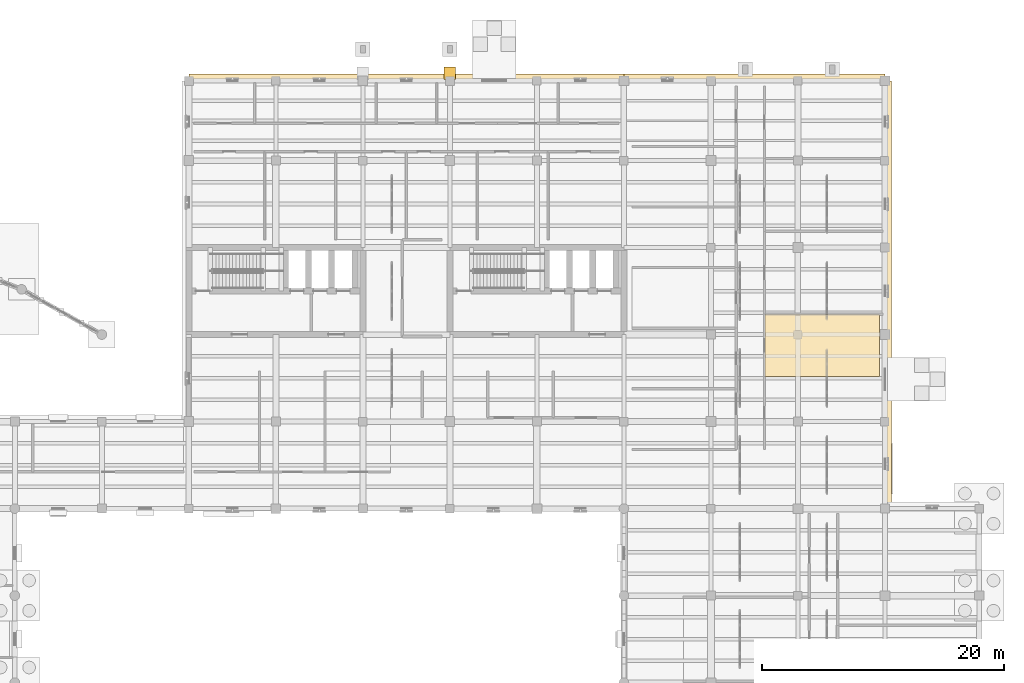
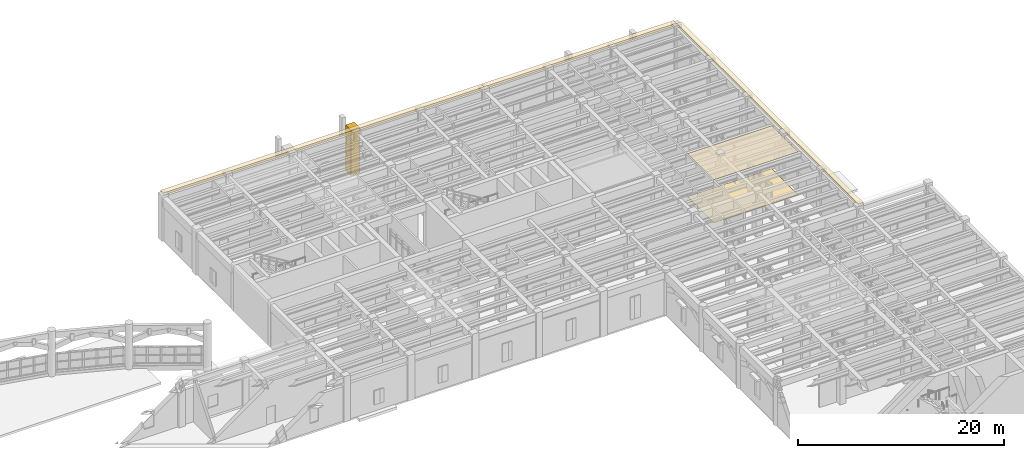
# One storey, part 100 of 100: 6 coverings.
"""IFC4 building model written with IfcOpenShell, lengths in metres."""

from ifc_helpers import new_model, si_unit, direction, frame, origin, origin_2d, place, context, subcontext, project, spatial, polyline, rectangle, outline, extrude, material, layer, layer_set, type_object, element, save


model = new_model("IFC4")

# Units and contexts
model_context = context("Model", 3, precision=1e-05, world=origin(), true_north=direction((0.0, 1.0)))
body_context = subcontext(model_context, "Body", "Model", "MODEL_VIEW")
ifc_project = project(units=[si_unit("LENGTHUNIT", "METRE"), si_unit("AREAUNIT", "SQUARE_METRE"), si_unit("VOLUMEUNIT", "CUBIC_METRE"), si_unit("PLANEANGLEUNIT", "RADIAN"), si_unit("MASSUNIT", "GRAM", prefix="KILO")], contexts=[model_context])

# Site, building, storey
site_placement = place(None, origin())
site = spatial("IfcSite", under=ifc_project, at=site_placement, CompositionType="ELEMENT")
building_placement = place(site_placement, origin())
building = spatial("IfcBuilding", under=site, at=building_placement, Name="Mithqara Police Headquarters", CompositionType="ELEMENT")
storey_placement = place(building_placement, origin())
storey = spatial("IfcBuildingStorey", under=building, at=storey_placement, Name="L00", CompositionType="ELEMENT", Elevation=0.0)

# Coverings
ifc_material_1 = material(Name="Acoustic mineral-fibre ceiling tile", Category="gypsum")
ifc_layer_1 = layer(ifc_material_1, 0.02490234375, Name="Acoustic mineral-fibre ceiling tile")
ifc_layer_set_1 = layer_set([ifc_layer_1], Name="Acoustic mineral-fibre ceiling tile")
covering_type_1 = type_object("IfcCoveringType", Name="ACOUSTIC CEILING TILE", PredefinedType="CEILING", material=ifc_layer_set_1)
covering_1_placement = place(storey_placement, frame((0.0, 0.0, 5.094970703125)))
element("IfcCovering", 1, at=covering_1_placement, inside=storey, type_object=covering_type_1, Name="Male Staff WC Acoustic Ceiling", PredefinedType="CEILING", context=body_context, shape_type="SweptSolid", body=[
    extrude(outline(polyline([(156.2548828125, 89.535888671875), (165.760009765625, 89.535888671875), (165.760009765625, 94.662109375), (156.2548828125, 94.662109375), (156.2548828125, 89.535888671875)])), origin(), (0.0, 0.0, 1.0), 0.025146484375),
])
ifc_material_2 = material(Name="Limestone ashlar masonry, 45 MPa", Category="masonry")
ifc_layer_2 = layer(ifc_material_2, 0.320068359375, Name="Limestone ashlar masonry, 45 MPa")
ifc_layer_set_2 = layer_set([ifc_layer_2], Name="Limestone ashlar masonry, 45 MPa")
covering_type_2 = type_object("IfcCoveringType", Name="CORNICE LIMESTONE", PredefinedType="CLADDING", material=ifc_layer_set_2)
covering_2_placement = place(storey_placement, frame((166.47998046875, 96.300048828125, 5.1201171875), z_axis=(0.0, 0.0, 1.0), x_axis=(0.0, 1.0, 0.0)))
element("IfcCovering", 2, at=covering_2_placement, inside=storey, type_object=covering_type_2, Name="L00 Projecting Ottoman Limestone Eaves Cornice 6", PredefinedType="CLADDING", context=body_context, shape_type="SweptSolid", body=[
    extrude(rectangle(XDim=35.39990234375, YDim=0.56005859375, at=origin_2d()), origin(), (0.0, 0.0, 1.0), 0.280029296875),
])
covering_3_placement = place(storey_placement, frame((155.39990234375, 114.280029296875, 5.1201171875), z_axis=(0.0, 0.0, 1.0), x_axis=(1.0, 0.0, 0.0)))
element("IfcCovering", 3, at=covering_3_placement, inside=storey, type_object=covering_type_2, Name="L00 Projecting Ottoman Limestone Eaves Cornice 7", PredefinedType="CLADDING", context=body_context, shape_type="SweptSolid", body=[
    extrude(rectangle(XDim=21.60009765625, YDim=0.56005859375, at=origin_2d()), origin(), (0.0, 0.0, 1.0), 0.280029296875),
])
covering_4_placement = place(storey_placement, frame((126.60009765625, 114.280029296875, 5.1201171875), z_axis=(0.0, 0.0, 1.0), x_axis=(1.0, 0.0, 0.0)))
element("IfcCovering", 4, at=covering_4_placement, inside=storey, type_object=covering_type_2, Name="L00 Projecting Ottoman Limestone Eaves Cornice 8", PredefinedType="CLADDING", context=body_context, shape_type="SweptSolid", body=[
    extrude(rectangle(XDim=36.0, YDim=0.56005859375, at=origin_2d()), origin(), (0.0, 0.0, 1.0), 0.280029296875),
])
covering_5_placement = place(storey_placement, frame((130.199951171875, 114.6298828125, 0.0), z_axis=(0.0, 0.0, 1.0), x_axis=(1.0, 0.0, 0.0)))
element("IfcCovering", 5, at=covering_5_placement, inside=storey, type_object=covering_type_2, Name="Recessed Entrance Portal Cheek Pier E-L00", PredefinedType="CLADDING", context=body_context, shape_type="SweptSolid", body=[
    extrude(rectangle(XDim=0.949951171875, YDim=1.050048828125, at=origin_2d()), origin(), (0.0, 0.0, 1.0), 5.39990234375),
])
ifc_material_3 = material(Name="Polished limestone terrazzo flooring", Category="masonry")
ifc_layer_3 = layer(ifc_material_3, 0.02001953125, Name="Polished limestone terrazzo flooring")
ifc_layer_set_3 = layer_set([ifc_layer_3], Name="Polished limestone terrazzo flooring")
covering_type_3 = type_object("IfcCoveringType", Name="TERRAZZO FLOOR FINISH", PredefinedType="FLOORING", material=ifc_layer_set_3)
covering_6_placement = place(storey_placement, origin())
element("IfcCovering", 6, at=covering_6_placement, inside=storey, type_object=covering_type_3, Name="Male Staff WC Terrazzo Floor Finish", PredefinedType="FLOORING", context=body_context, shape_type="SweptSolid", body=[
    extrude(outline(polyline([(156.2548828125, 89.535888671875), (165.760009765625, 89.535888671875), (165.760009765625, 94.662109375), (156.2548828125, 94.662109375), (156.2548828125, 89.535888671875)])), origin(), (0.0, 0.0, 1.0), 0.02001953125),
])

save(model, "model.ifc")
